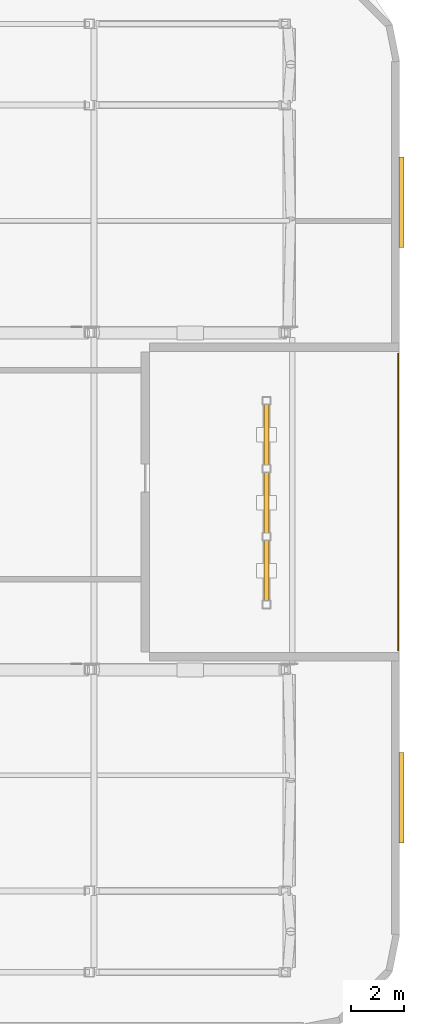
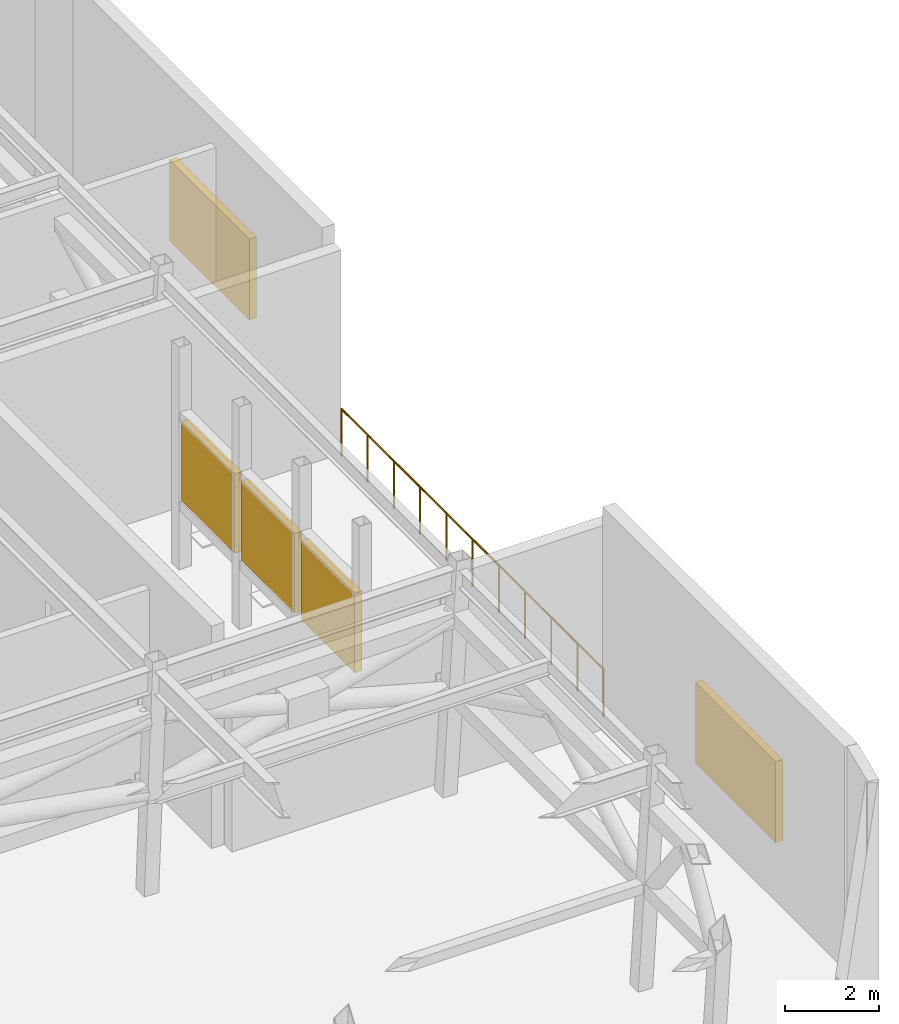
# One storey, part 11 of 12: 5 shading devices, 1 railing.
"""IFC4 building model written with IfcOpenShell, lengths in metres."""

from ifc_helpers import new_model, si_unit, direction, frame, origin, origin_2d, place, context, subcontext, project, spatial, rectangle, circle, extrude, material, layer, layer_set, type_object, element, save


model = new_model("IFC4")

# Units and contexts
model_context = context("Model", 3, precision=1e-05, world=origin(), true_north=direction((0.0, 1.0)))
body_context = subcontext(model_context, "Body", "Model", "MODEL_VIEW")
ifc_project = project(units=[si_unit("LENGTHUNIT", "METRE"), si_unit("AREAUNIT", "SQUARE_METRE"), si_unit("VOLUMEUNIT", "CUBIC_METRE"), si_unit("PLANEANGLEUNIT", "RADIAN"), si_unit("MASSUNIT", "GRAM", prefix="KILO")], contexts=[model_context])

# Site, building, storey
site_placement = place(None, origin())
site = spatial("IfcSite", under=ifc_project, at=site_placement, CompositionType="ELEMENT")
building_placement = place(site_placement, origin())
building = spatial("IfcBuilding", under=site, at=building_placement, Name="Ochreholt Gables", CompositionType="ELEMENT")
storey_placement = place(building_placement, frame((0.0, 0.0, 199.800048828125)))
storey = spatial("IfcBuildingStorey", under=building, at=storey_placement, Name="L52", CompositionType="ELEMENT", Elevation=199.800048828125)

# Railing
ifc_material_1 = material(Name="Laminated Glass and Anodized Aluminium Guardrail", Category="aluminium")
railing_type = type_object("IfcRailingType", Name="RL-TER-1250", PredefinedType="GUARDRAIL", material=ifc_material_1)
railing_placement = place(storey_placement, frame((58.5400390625, 18.280517578125, 0.0)))
element("IfcRailing", 1, at=railing_placement, inside=storey, type_object=railing_type, Name="L52 Terrace Perimeter Guardrail TR-L52-TURB", PredefinedType="GUARDRAIL", context=body_context, shape_type="SweptSolid", body=[
    extrude(circle(Radius=0.02392578125, at=origin_2d()), frame((0.0, 0.0, 1.22607421875), z_axis=(0.0, 1.0, 0.0), x_axis=(-1.0, 0.0, 0.0)), (0.0, 0.0, 1.0), 11.13916015625),
    extrude(circle(Radius=0.02099609375, at=origin_2d()), origin(), (0.0, 0.0, 1.0), 1.201904296875),
    extrude(circle(Radius=0.02099609375, at=origin_2d()), frame((0.0, 1.114013671875, 0.0)), (0.0, 0.0, 1.0), 1.201904296875),
    extrude(circle(Radius=0.02099609375, at=origin_2d()), frame((0.0, 2.227783203125, 0.0)), (0.0, 0.0, 1.0), 1.201904296875),
    extrude(circle(Radius=0.02099609375, at=origin_2d()), frame((0.0, 3.341796875, 0.0)), (0.0, 0.0, 1.0), 1.201904296875),
    extrude(circle(Radius=0.02099609375, at=origin_2d()), frame((0.0, 4.45556640625, 0.0)), (0.0, 0.0, 1.0), 1.201904296875),
    extrude(circle(Radius=0.02099609375, at=origin_2d()), frame((0.0, 5.569580078125, 0.0)), (0.0, 0.0, 1.0), 1.201904296875),
    extrude(circle(Radius=0.02099609375, at=origin_2d()), frame((0.0, 6.68359375, 0.0)), (0.0, 0.0, 1.0), 1.201904296875),
    extrude(circle(Radius=0.02099609375, at=origin_2d()), frame((0.0, 7.79736328125, 0.0)), (0.0, 0.0, 1.0), 1.201904296875),
    extrude(circle(Radius=0.02099609375, at=origin_2d()), frame((0.0, 8.911376953125, 0.0)), (0.0, 0.0, 1.0), 1.201904296875),
    extrude(circle(Radius=0.02099609375, at=origin_2d()), frame((0.0, 10.025146484375, 0.0)), (0.0, 0.0, 1.0), 1.201904296875),
    extrude(circle(Radius=0.02099609375, at=origin_2d()), frame((0.0, 11.13916015625, 0.0)), (0.0, 0.0, 1.0), 1.201904296875),
])

# Shading devices
ifc_material_2 = material(Name="Anodized Aluminium Acoustic Weather Louvre", Category="aluminium")
ifc_layer = layer(ifc_material_2, 0.179931640625, Name="Anodized Aluminium Acoustic Weather Louvre")
ifc_layer_set = layer_set([ifc_layer], Name="Anodized Aluminium Acoustic Weather Louvre")
shading_device_type = type_object("IfcShadingDeviceType", Name="SHD-LOUVRE", PredefinedType="JALOUSIE", material=ifc_layer_set)
for number, where, z_axis, x_axis, name in (
    (2, (58.669921875, 12.7548828125, 1.099853515625), (0.0, 0.0, 1.0), (0.0, 1.0, 0.0), "L52 Acoustic Plant Louvre East-1"),
    (3, (58.669921875, 35.094970703125, 1.099853515625), (0.0, 0.0, 1.0), (0.0, 1.0, 0.0), "L52 Acoustic Plant Louvre East-2"),
):
    element("IfcShadingDevice", number, at=place(storey_placement, frame(where, z_axis=z_axis, x_axis=x_axis)), inside=storey, type_object=shading_device_type, Name=name, PredefinedType="JALOUSIE", context=body_context, shape_type="SweptSolid", body=[
        extrude(rectangle(XDim=3.39990234375, YDim=0.179931640625, at=origin_2d()), origin(), (0.0, 0.0, 1.0), 2.10009765625),
    ])
for number, where, z_axis, x_axis, name in (
    (4, (53.60009765625, 21.27490234375, 1.77001953125), (0.0, 0.0, 1.0), (0.0, 1.0, 0.0), "L52 Horizontal Wind Turbine Aerofoil Stator 1"),
    (5, (53.60009765625, 23.824951171875, 1.77001953125), (0.0, 0.0, 1.0), (0.0, 1.0, 0.0), "L52 Horizontal Wind Turbine Aerofoil Stator 2"),
    (6, (53.60009765625, 26.375, 1.77001953125), (0.0, 0.0, 1.0), (0.0, 1.0, 0.0), "L52 Horizontal Wind Turbine Aerofoil Stator 3"),
):
    element("IfcShadingDevice", number, at=place(storey_placement, frame(where, z_axis=z_axis, x_axis=x_axis)), inside=storey, type_object=shading_device_type, Name=name, PredefinedType="JALOUSIE", context=body_context, shape_type="SweptSolid", body=[
        extrude(rectangle(XDim=2.260009765625, YDim=0.179931640625, at=origin_2d()), origin(), (0.0, 0.0, 1.0), 2.06005859375),
    ])

save(model, "model.ifc")
